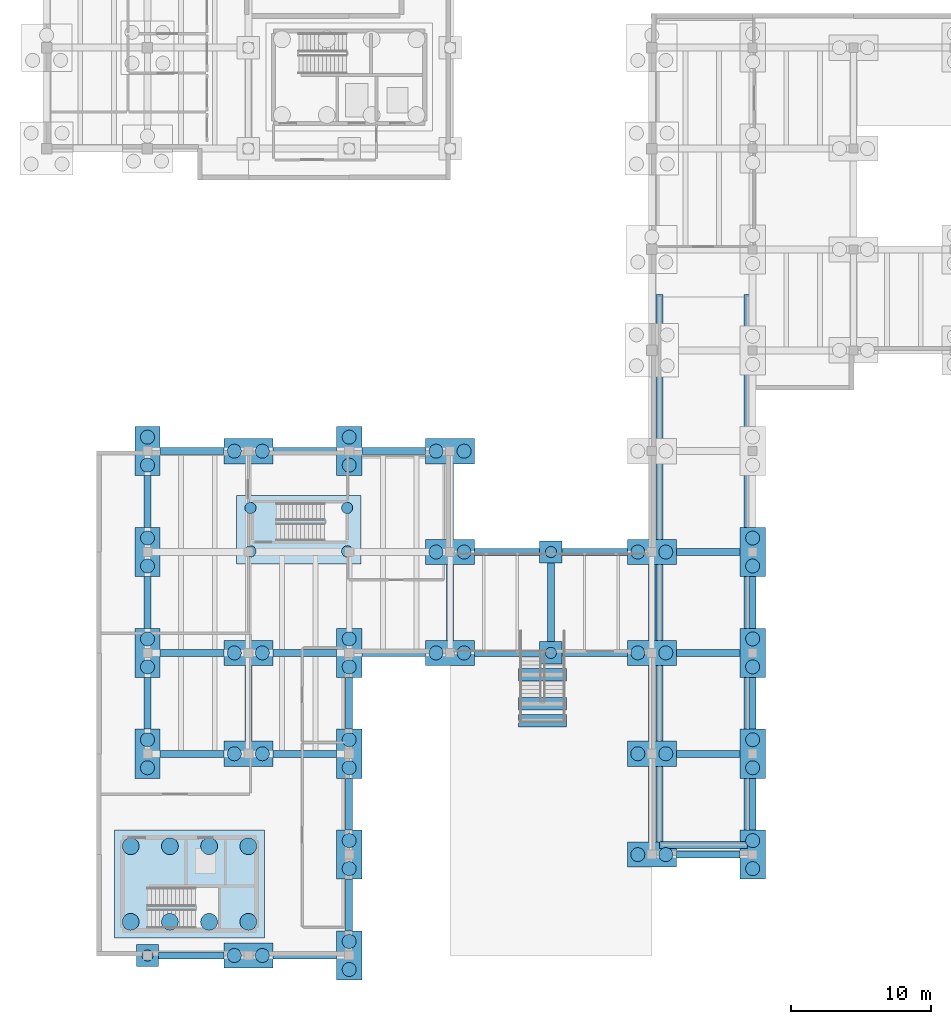
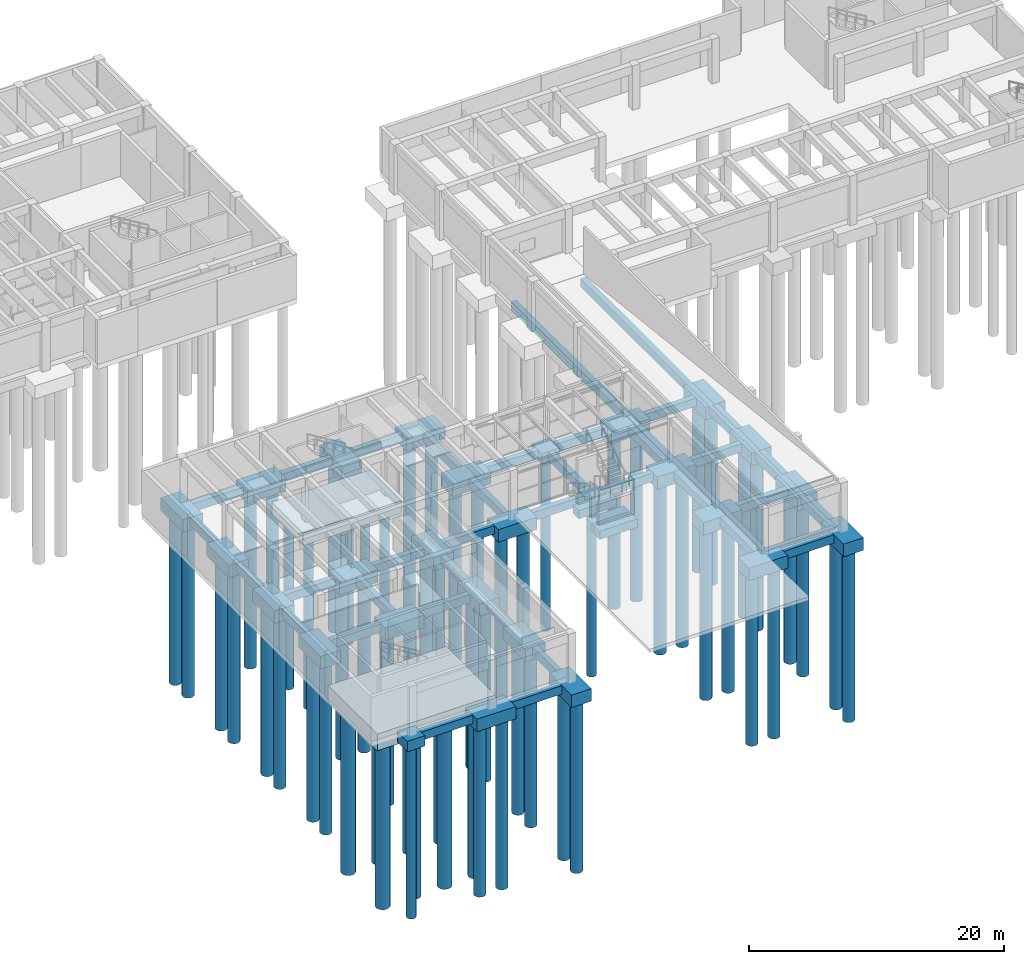
# One storey, part 1 of 28: 69 footings, 63 piles.
"""IFC4 building model written with IfcOpenShell, lengths in metres."""

from ifc_helpers import new_model, si_unit, direction, frame, origin, origin_2d, place, context, subcontext, project, spatial, rectangle, circle, extrude, material, material_profile, profile_set, type_object, element, save


model = new_model("IFC4")

# Units and contexts
model_context = context("Model", 3, precision=1e-05, world=origin(), true_north=direction((0.0, 1.0)))
body_context = subcontext(model_context, "Body", "Model", "MODEL_VIEW")
ifc_project = project(units=[si_unit("LENGTHUNIT", "METRE"), si_unit("AREAUNIT", "SQUARE_METRE"), si_unit("VOLUMEUNIT", "CUBIC_METRE"), si_unit("PLANEANGLEUNIT", "RADIAN"), si_unit("MASSUNIT", "GRAM", prefix="KILO")], contexts=[model_context])

# Site, building, storey
site_placement = place(None, origin())
site = spatial("IfcSite", under=ifc_project, at=site_placement, CompositionType="ELEMENT")
building_placement = place(site_placement, origin())
building = spatial("IfcBuilding", under=site, at=building_placement, Name="Bramvelor Terrace Health Centre", CompositionType="ELEMENT")
storey_placement = place(building_placement, frame((0.0, 0.0, -4.5)))
storey = spatial("IfcBuildingStorey", under=building, at=storey_placement, Name="B1", CompositionType="ELEMENT", Elevation=-4.5)

# Footings
ifc_material_1 = material(Name="Concrete C40/50", Category="concrete")
ifc_material_profile_1 = material_profile(ifc_material_1, rectangle(XDim=0.5, YDim=0.800048828125, at=origin_2d()), Name="RC 500x800")
ifc_profile_set_1 = profile_set([ifc_material_profile_1], Name="Concrete C40/50")
footing_type_1 = type_object("IfcFootingType", Name="FTG-FB-500x800", PredefinedType="FOOTING_BEAM", material=ifc_profile_set_1)
footing_1_placement = place(storey_placement, frame((8.0, 28.800048828125, -0.89990234375), z_axis=(1.0, 0.0, 0.0), x_axis=(0.0, 1.0, 0.0)))
element("IfcFooting", 1, at=footing_1_placement, inside=storey, type_object=footing_type_1, Name="B1 Ground Tie Beam X (7.2, 28.8)", PredefinedType="FOOTING_BEAM", context=body_context, shape_type="SweptSolid", body=[
    extrude(rectangle(XDim=0.5, YDim=0.800048828125, at=origin_2d()), origin(), (0.0, 0.0, 1.0), 4.64990234375),
])
footing_2_placement = place(storey_placement, frame((8.10009765625, 43.199951171875, -0.89990234375), z_axis=(1.0, 0.0, 0.0), x_axis=(0.0, 1.0, 0.0)))
element("IfcFooting", 2, at=footing_2_placement, inside=storey, type_object=footing_type_1, Name="B1 Ground Tie Beam X (7.2, 43.2)", PredefinedType="FOOTING_BEAM", context=body_context, shape_type="SweptSolid", body=[
    extrude(rectangle(XDim=0.5, YDim=0.800048828125, at=origin_2d()), origin(), (0.0, 0.0, 1.0), 4.5498046875),
])
footing_3_placement = place(storey_placement, frame((7.199951171875, 44.949951171875, -0.89990234375), z_axis=(0.0, 1.0, 0.0), x_axis=(-1.0, 0.0, 0.0)))
element("IfcFooting", 3, at=footing_3_placement, inside=storey, type_object=footing_type_1, Name="B1 Ground Tie Beam Y (7.2, 43.2)", PredefinedType="FOOTING_BEAM", context=body_context, shape_type="SweptSolid", body=[
    extrude(rectangle(XDim=0.5, YDim=0.800048828125, at=origin_2d()), origin(), (0.0, 0.0, 1.0), 3.699951171875),
])
footing_4_placement = place(storey_placement, frame((8.10009765625, 50.39990234375, -0.89990234375), z_axis=(1.0, 0.0, 0.0), x_axis=(0.0, 1.0, 0.0)))
element("IfcFooting", 4, at=footing_4_placement, inside=storey, type_object=footing_type_1, Name="B1 Ground Tie Beam X (7.2, 50.4)", PredefinedType="FOOTING_BEAM", context=body_context, shape_type="SweptSolid", body=[
    extrude(rectangle(XDim=0.5, YDim=0.800048828125, at=origin_2d()), origin(), (0.0, 0.0, 1.0), 4.5498046875),
])
footing_5_placement = place(storey_placement, frame((7.199951171875, 52.14990234375, -0.89990234375), z_axis=(0.0, 1.0, 0.0), x_axis=(-1.0, 0.0, 0.0)))
element("IfcFooting", 5, at=footing_5_placement, inside=storey, type_object=footing_type_1, Name="B1 Ground Tie Beam Y (7.2, 50.4)", PredefinedType="FOOTING_BEAM", context=body_context, shape_type="SweptSolid", body=[
    extrude(rectangle(XDim=0.5, YDim=0.800048828125, at=origin_2d()), origin(), (0.0, 0.0, 1.0), 3.7001953125),
])
footing_6_placement = place(storey_placement, frame((7.199951171875, 59.35009765625, -0.89990234375), z_axis=(0.0, 1.0, 0.0), x_axis=(-1.0, 0.0, 0.0)))
element("IfcFooting", 6, at=footing_6_placement, inside=storey, type_object=footing_type_1, Name="B1 Ground Tie Beam Y (7.2, 57.6)", PredefinedType="FOOTING_BEAM", context=body_context, shape_type="SweptSolid", body=[
    extrude(rectangle(XDim=0.5, YDim=0.800048828125, at=origin_2d()), origin(), (0.0, 0.0, 1.0), 3.699951171875),
])
footing_7_placement = place(storey_placement, frame((8.10009765625, 64.800048828125, -0.89990234375), z_axis=(1.0, 0.0, 0.0), x_axis=(0.0, 1.0, 0.0)))
element("IfcFooting", 7, at=footing_7_placement, inside=storey, type_object=footing_type_1, Name="B1 Ground Tie Beam X (7.2, 64.8)", PredefinedType="FOOTING_BEAM", context=body_context, shape_type="SweptSolid", body=[
    extrude(rectangle(XDim=0.5, YDim=0.800048828125, at=origin_2d()), origin(), (0.0, 0.0, 1.0), 4.5498046875),
])
for number, where, z_axis, x_axis, name in (
    (8, (16.14990234375, 28.800048828125, -0.89990234375), (1.0, 0.0, 0.0), (0.0, 1.0, 0.0), "B1 Ground Tie Beam X (14.4, 28.8)"),
    (9, (16.14990234375, 43.199951171875, -0.89990234375), (1.0, 0.0, 0.0), (0.0, 1.0, 0.0), "B1 Ground Tie Beam X (14.4, 43.2)"),
):
    element("IfcFooting", number, at=place(storey_placement, frame(where, z_axis=z_axis, x_axis=x_axis)), inside=storey, type_object=footing_type_1, Name=name, PredefinedType="FOOTING_BEAM", context=body_context, shape_type="SweptSolid", body=[
        extrude(rectangle(XDim=0.5, YDim=0.800048828125, at=origin_2d()), origin(), (0.0, 0.0, 1.0), 4.550048828125),
    ])
footing_8_placement = place(storey_placement, frame((14.39990234375, 44.10009765625, -0.89990234375), z_axis=(0.0, 1.0, 0.0), x_axis=(-1.0, 0.0, 0.0)))
element("IfcFooting", 10, at=footing_8_placement, inside=storey, type_object=footing_type_1, Name="B1 Ground Tie Beam Y (14.4, 43.2)", PredefinedType="FOOTING_BEAM", context=body_context, shape_type="SweptSolid", body=[
    extrude(rectangle(XDim=0.5, YDim=0.800048828125, at=origin_2d()), origin(), (0.0, 0.0, 1.0), 5.39990234375),
])
for number, where, z_axis, x_axis, name in (
    (11, (16.14990234375, 50.39990234375, -0.89990234375), (1.0, 0.0, 0.0), (0.0, 1.0, 0.0), "B1 Ground Tie Beam X (14.4, 50.4)"),
    (12, (16.14990234375, 64.800048828125, -0.89990234375), (1.0, 0.0, 0.0), (0.0, 1.0, 0.0), "B1 Ground Tie Beam X (14.4, 64.8)"),
):
    element("IfcFooting", number, at=place(storey_placement, frame(where, z_axis=z_axis, x_axis=x_axis)), inside=storey, type_object=footing_type_1, Name=name, PredefinedType="FOOTING_BEAM", context=body_context, shape_type="SweptSolid", body=[
        extrude(rectangle(XDim=0.5, YDim=0.800048828125, at=origin_2d()), origin(), (0.0, 0.0, 1.0), 4.550048828125),
    ])
for number, where, z_axis, x_axis, name in (
    (13, (21.60009765625, 30.550048828125, -0.89990234375), (0.0, 1.0, 0.0), (-1.0, 0.0, 0.0), "B1 Ground Tie Beam Y (21.6, 28.8)"),
    (14, (21.60009765625, 37.75, -0.89990234375), (0.0, 1.0, 0.0), (-1.0, 0.0, 0.0), "B1 Ground Tie Beam Y (21.6, 36.0)"),
    (15, (21.60009765625, 44.949951171875, -0.89990234375), (0.0, 1.0, 0.0), (-1.0, 0.0, 0.0), "B1 Ground Tie Beam Y (21.6, 43.2)"),
):
    element("IfcFooting", number, at=place(storey_placement, frame(where, z_axis=z_axis, x_axis=x_axis)), inside=storey, type_object=footing_type_1, Name=name, PredefinedType="FOOTING_BEAM", context=body_context, shape_type="SweptSolid", body=[
        extrude(rectangle(XDim=0.5, YDim=0.800048828125, at=origin_2d()), origin(), (0.0, 0.0, 1.0), 3.699951171875),
    ])
for number, where, z_axis, x_axis, name in (
    (16, (22.5, 50.39990234375, -0.89990234375), (1.0, 0.0, 0.0), (0.0, 1.0, 0.0), "B1 Ground Tie Beam X (21.6, 50.4)"),
    (17, (22.5, 64.800048828125, -0.89990234375), (1.0, 0.0, 0.0), (0.0, 1.0, 0.0), "B1 Ground Tie Beam X (21.6, 64.8)"),
):
    element("IfcFooting", number, at=place(storey_placement, frame(where, z_axis=z_axis, x_axis=x_axis)), inside=storey, type_object=footing_type_1, Name=name, PredefinedType="FOOTING_BEAM", context=body_context, shape_type="SweptSolid", body=[
        extrude(rectangle(XDim=0.5, YDim=0.800048828125, at=origin_2d()), origin(), (0.0, 0.0, 1.0), 4.550048828125),
    ])
footing_9_placement = place(storey_placement, frame((30.550048828125, 50.39990234375, -0.89990234375), z_axis=(1.0, 0.0, 0.0), x_axis=(0.0, 1.0, 0.0)))
element("IfcFooting", 18, at=footing_9_placement, inside=storey, type_object=footing_type_1, Name="B1 Ground Tie Beam X (28.8, 50.4)", PredefinedType="FOOTING_BEAM", context=body_context, shape_type="SweptSolid", body=[
    extrude(rectangle(XDim=0.5, YDim=0.800048828125, at=origin_2d()), origin(), (0.0, 0.0, 1.0), 4.64990234375),
])
footing_10_placement = place(storey_placement, frame((28.800048828125, 51.300048828125, -0.89990234375), z_axis=(0.0, 1.0, 0.0), x_axis=(-1.0, 0.0, 0.0)))
element("IfcFooting", 19, at=footing_10_placement, inside=storey, type_object=footing_type_1, Name="B1 Ground Tie Beam Y (28.8, 50.4)", PredefinedType="FOOTING_BEAM", context=body_context, shape_type="SweptSolid", body=[
    extrude(rectangle(XDim=0.5, YDim=0.800048828125, at=origin_2d()), origin(), (0.0, 0.0, 1.0), 5.39990234375),
])
footing_11_placement = place(storey_placement, frame((30.550048828125, 57.60009765625, -0.89990234375), z_axis=(1.0, 0.0, 0.0), x_axis=(0.0, 1.0, 0.0)))
element("IfcFooting", 20, at=footing_11_placement, inside=storey, type_object=footing_type_1, Name="B1 Ground Tie Beam X (28.8, 57.6)", PredefinedType="FOOTING_BEAM", context=body_context, shape_type="SweptSolid", body=[
    extrude(rectangle(XDim=0.5, YDim=0.800048828125, at=origin_2d()), origin(), (0.0, 0.0, 1.0), 4.64990234375),
])
footing_12_placement = place(storey_placement, frame((28.800048828125, 58.5, -0.89990234375), z_axis=(0.0, 1.0, 0.0), x_axis=(-1.0, 0.0, 0.0)))
element("IfcFooting", 21, at=footing_12_placement, inside=storey, type_object=footing_type_1, Name="B1 Ground Tie Beam Y (28.8, 57.6)", PredefinedType="FOOTING_BEAM", context=body_context, shape_type="SweptSolid", body=[
    extrude(rectangle(XDim=0.5, YDim=0.800048828125, at=origin_2d()), origin(), (0.0, 0.0, 1.0), 5.39990234375),
])
footing_13_placement = place(storey_placement, frame((36.800048828125, 50.39990234375, -0.89990234375), z_axis=(1.0, 0.0, 0.0), x_axis=(0.0, 1.0, 0.0)))
element("IfcFooting", 22, at=footing_13_placement, inside=storey, type_object=footing_type_1, Name="B1 Ground Tie Beam X (36.0, 50.4)", PredefinedType="FOOTING_BEAM", context=body_context, shape_type="SweptSolid", body=[
    extrude(rectangle(XDim=0.5, YDim=0.800048828125, at=origin_2d()), origin(), (0.0, 0.0, 1.0), 4.64990234375),
])
footing_14_placement = place(storey_placement, frame((36.0, 51.199951171875, -0.89990234375), z_axis=(0.0, 1.0, 0.0), x_axis=(-1.0, 0.0, 0.0)))
element("IfcFooting", 23, at=footing_14_placement, inside=storey, type_object=footing_type_1, Name="B1 Ground Tie Beam Y (36.0, 50.4)", PredefinedType="FOOTING_BEAM", context=body_context, shape_type="SweptSolid", body=[
    extrude(rectangle(XDim=0.5, YDim=0.800048828125, at=origin_2d()), origin(), (0.0, 0.0, 1.0), 5.60009765625),
])
footing_15_placement = place(storey_placement, frame((36.800048828125, 57.60009765625, -0.89990234375), z_axis=(1.0, 0.0, 0.0), x_axis=(0.0, 1.0, 0.0)))
element("IfcFooting", 24, at=footing_15_placement, inside=storey, type_object=footing_type_1, Name="B1 Ground Tie Beam X (36.0, 57.6)", PredefinedType="FOOTING_BEAM", context=body_context, shape_type="SweptSolid", body=[
    extrude(rectangle(XDim=0.5, YDim=0.800048828125, at=origin_2d()), origin(), (0.0, 0.0, 1.0), 4.64990234375),
])
footing_16_placement = place(storey_placement, frame((44.949951171875, 36.0, -0.89990234375), z_axis=(1.0, 0.0, 0.0), x_axis=(0.0, 1.0, 0.0)))
element("IfcFooting", 25, at=footing_16_placement, inside=storey, type_object=footing_type_1, Name="B1 Ground Tie Beam X (43.2, 36.0)", PredefinedType="FOOTING_BEAM", context=body_context, shape_type="SweptSolid", body=[
    extrude(rectangle(XDim=0.5, YDim=0.800048828125, at=origin_2d()), origin(), (0.0, 0.0, 1.0), 4.550048828125),
])
footing_17_placement = place(storey_placement, frame((43.199951171875, 36.89990234375, -0.89990234375), z_axis=(0.0, 1.0, 0.0), x_axis=(-1.0, 0.0, 0.0)))
element("IfcFooting", 26, at=footing_17_placement, inside=storey, type_object=footing_type_1, Name="B1 Ground Tie Beam Y (43.2, 36.0)", PredefinedType="FOOTING_BEAM", context=body_context, shape_type="SweptSolid", body=[
    extrude(rectangle(XDim=0.5, YDim=0.800048828125, at=origin_2d()), origin(), (0.0, 0.0, 1.0), 5.400146484375),
])
footing_18_placement = place(storey_placement, frame((44.949951171875, 43.199951171875, -0.89990234375), z_axis=(1.0, 0.0, 0.0), x_axis=(0.0, 1.0, 0.0)))
element("IfcFooting", 27, at=footing_18_placement, inside=storey, type_object=footing_type_1, Name="B1 Ground Tie Beam X (43.2, 43.2)", PredefinedType="FOOTING_BEAM", context=body_context, shape_type="SweptSolid", body=[
    extrude(rectangle(XDim=0.5, YDim=0.800048828125, at=origin_2d()), origin(), (0.0, 0.0, 1.0), 4.550048828125),
])
footing_19_placement = place(storey_placement, frame((43.199951171875, 44.10009765625, -0.89990234375), z_axis=(0.0, 1.0, 0.0), x_axis=(-1.0, 0.0, 0.0)))
element("IfcFooting", 28, at=footing_19_placement, inside=storey, type_object=footing_type_1, Name="B1 Ground Tie Beam Y (43.2, 43.2)", PredefinedType="FOOTING_BEAM", context=body_context, shape_type="SweptSolid", body=[
    extrude(rectangle(XDim=0.5, YDim=0.800048828125, at=origin_2d()), origin(), (0.0, 0.0, 1.0), 5.39990234375),
])
footing_20_placement = place(storey_placement, frame((44.949951171875, 50.39990234375, -0.89990234375), z_axis=(1.0, 0.0, 0.0), x_axis=(0.0, 1.0, 0.0)))
element("IfcFooting", 29, at=footing_20_placement, inside=storey, type_object=footing_type_1, Name="B1 Ground Tie Beam X (43.2, 50.4)", PredefinedType="FOOTING_BEAM", context=body_context, shape_type="SweptSolid", body=[
    extrude(rectangle(XDim=0.5, YDim=0.800048828125, at=origin_2d()), origin(), (0.0, 0.0, 1.0), 4.550048828125),
])
footing_21_placement = place(storey_placement, frame((43.199951171875, 51.300048828125, -0.89990234375), z_axis=(0.0, 1.0, 0.0), x_axis=(-1.0, 0.0, 0.0)))
element("IfcFooting", 30, at=footing_21_placement, inside=storey, type_object=footing_type_1, Name="B1 Ground Tie Beam Y (43.2, 50.4)", PredefinedType="FOOTING_BEAM", context=body_context, shape_type="SweptSolid", body=[
    extrude(rectangle(XDim=0.5, YDim=0.800048828125, at=origin_2d()), origin(), (0.0, 0.0, 1.0), 5.39990234375),
])
footing_22_placement = place(storey_placement, frame((44.949951171875, 57.60009765625, -0.89990234375), z_axis=(1.0, 0.0, 0.0), x_axis=(0.0, 1.0, 0.0)))
element("IfcFooting", 31, at=footing_22_placement, inside=storey, type_object=footing_type_1, Name="B1 Ground Tie Beam X (43.2, 57.6)", PredefinedType="FOOTING_BEAM", context=body_context, shape_type="SweptSolid", body=[
    extrude(rectangle(XDim=0.5, YDim=0.800048828125, at=origin_2d()), origin(), (0.0, 0.0, 1.0), 4.550048828125),
])
for number, where, z_axis, x_axis, name in (
    (32, (50.39990234375, 37.75, -0.89990234375), (0.0, 1.0, 0.0), (-1.0, 0.0, 0.0), "B1 Ground Tie Beam Y (50.4, 36.0)"),
    (33, (50.39990234375, 44.949951171875, -0.89990234375), (0.0, 1.0, 0.0), (-1.0, 0.0, 0.0), "B1 Ground Tie Beam Y (50.4, 43.2)"),
):
    element("IfcFooting", number, at=place(storey_placement, frame(where, z_axis=z_axis, x_axis=x_axis)), inside=storey, type_object=footing_type_1, Name=name, PredefinedType="FOOTING_BEAM", context=body_context, shape_type="SweptSolid", body=[
        extrude(rectangle(XDim=0.5, YDim=0.800048828125, at=origin_2d()), origin(), (0.0, 0.0, 1.0), 3.699951171875),
    ])
footing_23_placement = place(storey_placement, frame((50.39990234375, 52.14990234375, -0.89990234375), z_axis=(0.0, 1.0, 0.0), x_axis=(-1.0, 0.0, 0.0)))
element("IfcFooting", 34, at=footing_23_placement, inside=storey, type_object=footing_type_1, Name="B1 Ground Tie Beam Y (50.4, 50.4)", PredefinedType="FOOTING_BEAM", context=body_context, shape_type="SweptSolid", body=[
    extrude(rectangle(XDim=0.5, YDim=0.800048828125, at=origin_2d()), origin(), (0.0, 0.0, 1.0), 3.7001953125),
])
for number, where, z_axis, x_axis, name in (
    (35, (43.75, 36.60009765625, -0.89990234375), (0.0, 1.0, 0.0), (-1.0, 0.0, 0.0), "B1 Vehicle Ramp West Wall Strip Footing"),
    (36, (50.050048828125, 36.60009765625, -0.89990234375), (0.0, 1.0, 0.0), (-1.0, 0.0, 0.0), "B1 Vehicle Ramp East Wall Strip Footing"),
):
    element("IfcFooting", number, at=place(storey_placement, frame(where, z_axis=z_axis, x_axis=x_axis)), inside=storey, type_object=footing_type_1, Name=name, PredefinedType="FOOTING_BEAM", context=body_context, shape_type="SweptSolid", body=[
        extrude(rectangle(XDim=0.5, YDim=0.800048828125, at=origin_2d()), origin(), (0.0, 0.0, 1.0), 39.39990234375),
    ])
footing_24_placement = place(storey_placement, frame((43.75, 36.699951171875, -0.89990234375), z_axis=(1.0, 0.0, 0.0), x_axis=(0.0, 1.0, 0.0)))
element("IfcFooting", 37, at=footing_24_placement, inside=storey, type_object=footing_type_1, Name="B1 Vehicle Ramp Head Wall Strip Footing", PredefinedType="FOOTING_BEAM", context=body_context, shape_type="SweptSolid", body=[
    extrude(rectangle(XDim=0.5, YDim=0.800048828125, at=origin_2d()), origin(), (0.0, 0.0, 1.0), 6.300048828125),
])
ifc_material_2 = material(Name="Concrete C40/50", Category="concrete")
footing_type_2 = type_object("IfcFootingType", Name="FTG-PAD-STE1", PredefinedType="PAD_FOOTING", material=ifc_material_2)
for number, where, z_axis, x_axis, name in (
    (38, (35.39990234375, 45.570068359375, -1.1201171875), (0.0, 0.0, 1.0), (1.0, 0.0, 0.0), "Forecourt Stair FAR Pad Footing"),
    (39, (35.39990234375, 46.77001953125, -1.1201171875), (0.0, 0.0, 1.0), (1.0, 0.0, 0.0), "Forecourt Stair MID Pad Footing"),
    (40, (35.39990234375, 48.85009765625, -1.1201171875), (0.0, 0.0, 1.0), (1.0, 0.0, 0.0), "Forecourt Stair TOP Pad Footing"),
):
    element("IfcFooting", number, at=place(storey_placement, frame(where, z_axis=z_axis, x_axis=x_axis)), inside=storey, type_object=footing_type_2, Name=name, PredefinedType="PAD_FOOTING", context=body_context, shape_type="SweptSolid", body=[
        extrude(rectangle(XDim=3.39990234375, YDim=0.89990234375, at=origin_2d()), origin(), (0.0, 0.0, 1.0), 0.800048828125),
    ])
ifc_material_3 = material(Name="Concrete C40/50", Category="concrete")
footing_type_3 = type_object("IfcFootingType", Name="FTG-PC-1P-800", PredefinedType="PILE_CAP", material=ifc_material_3)
for number, where, z_axis, x_axis, name in (
    (41, (7.199951171875, 28.800048828125, -1.5), (0.0, 0.0, 1.0), (1.0, 0.0, 0.0), "B1 Pile Cap (7.2, 28.8)"),
    (42, (36.0, 50.39990234375, -1.5), (0.0, 0.0, 1.0), (1.0, 0.0, 0.0), "B1 Pile Cap (36.0, 50.4)"),
    (43, (36.0, 57.60009765625, -1.5), (0.0, 0.0, 1.0), (1.0, 0.0, 0.0), "B1 Pile Cap (36.0, 57.6)"),
):
    element("IfcFooting", number, at=place(storey_placement, frame(where, z_axis=z_axis, x_axis=x_axis)), inside=storey, type_object=footing_type_3, Name=name, PredefinedType="PILE_CAP", context=body_context, shape_type="SweptSolid", body=[
        extrude(rectangle(XDim=1.60009765625, YDim=1.60009765625, at=origin_2d()), origin(), (0.0, 0.0, 1.0), 1.0),
    ])
ifc_material_4 = material(Name="Concrete C40/50", Category="concrete")
footing_type_4 = type_object("IfcFootingType", Name="FTG-PC-2PX-1000", PredefinedType="PILE_CAP", material=ifc_material_4)
for number, where, z_axis, x_axis, name in (
    (44, (14.39990234375, 28.800048828125, -1.7001953125), (0.0, 0.0, 1.0), (1.0, 0.0, 0.0), "B1 Pile Cap (14.4, 28.8)"),
    (45, (14.39990234375, 43.199951171875, -1.7001953125), (0.0, 0.0, 1.0), (1.0, 0.0, 0.0), "B1 Pile Cap (14.4, 43.2)"),
    (46, (14.39990234375, 50.39990234375, -1.7001953125), (0.0, 0.0, 1.0), (1.0, 0.0, 0.0), "B1 Pile Cap (14.4, 50.4)"),
    (47, (14.39990234375, 64.800048828125, -1.7001953125), (0.0, 0.0, 1.0), (1.0, 0.0, 0.0), "B1 Pile Cap (14.4, 64.8)"),
    (48, (28.800048828125, 50.39990234375, -1.7001953125), (0.0, 0.0, 1.0), (1.0, 0.0, 0.0), "B1 Pile Cap (28.8, 50.4)"),
    (49, (28.800048828125, 57.60009765625, -1.7001953125), (0.0, 0.0, 1.0), (1.0, 0.0, 0.0), "B1 Pile Cap (28.8, 57.6)"),
    (50, (28.800048828125, 64.800048828125, -1.7001953125), (0.0, 0.0, 1.0), (1.0, 0.0, 0.0), "B1 Pile Cap (28.8, 64.8)"),
    (51, (43.199951171875, 36.0, -1.7001953125), (0.0, 0.0, 1.0), (1.0, 0.0, 0.0), "B1 Pile Cap (43.2, 36.0)"),
    (52, (43.199951171875, 43.199951171875, -1.7001953125), (0.0, 0.0, 1.0), (1.0, 0.0, 0.0), "B1 Pile Cap (43.2, 43.2)"),
    (53, (43.199951171875, 50.39990234375, -1.7001953125), (0.0, 0.0, 1.0), (1.0, 0.0, 0.0), "B1 Pile Cap (43.2, 50.4)"),
    (54, (43.199951171875, 57.60009765625, -1.7001953125), (0.0, 0.0, 1.0), (1.0, 0.0, 0.0), "B1 Pile Cap (43.2, 57.6)"),
):
    element("IfcFooting", number, at=place(storey_placement, frame(where, z_axis=z_axis, x_axis=x_axis)), inside=storey, type_object=footing_type_4, Name=name, PredefinedType="PILE_CAP", context=body_context, shape_type="SweptSolid", body=[
        extrude(rectangle(XDim=3.5, YDim=1.800048828125, at=origin_2d()), origin(), (0.0, 0.0, 1.0), 1.199951171875),
    ])
ifc_material_5 = material(Name="Concrete C40/50", Category="concrete")
footing_type_5 = type_object("IfcFootingType", Name="FTG-PC-2PY-1000", PredefinedType="PILE_CAP", material=ifc_material_5)
for number, where, z_axis, x_axis, name in (
    (55, (7.199951171875, 43.199951171875, -1.7001953125), (0.0, 0.0, 1.0), (1.0, 0.0, 0.0), "B1 Pile Cap (7.2, 43.2)"),
    (56, (7.199951171875, 50.39990234375, -1.7001953125), (0.0, 0.0, 1.0), (1.0, 0.0, 0.0), "B1 Pile Cap (7.2, 50.4)"),
    (57, (7.199951171875, 57.60009765625, -1.7001953125), (0.0, 0.0, 1.0), (1.0, 0.0, 0.0), "B1 Pile Cap (7.2, 57.6)"),
    (58, (7.199951171875, 64.800048828125, -1.7001953125), (0.0, 0.0, 1.0), (1.0, 0.0, 0.0), "B1 Pile Cap (7.2, 64.8)"),
    (59, (21.60009765625, 28.800048828125, -1.7001953125), (0.0, 0.0, 1.0), (1.0, 0.0, 0.0), "B1 Pile Cap (21.6, 28.8)"),
    (60, (21.60009765625, 36.0, -1.7001953125), (0.0, 0.0, 1.0), (1.0, 0.0, 0.0), "B1 Pile Cap (21.6, 36.0)"),
    (61, (21.60009765625, 43.199951171875, -1.7001953125), (0.0, 0.0, 1.0), (1.0, 0.0, 0.0), "B1 Pile Cap (21.6, 43.2)"),
    (62, (21.60009765625, 50.39990234375, -1.7001953125), (0.0, 0.0, 1.0), (1.0, 0.0, 0.0), "B1 Pile Cap (21.6, 50.4)"),
    (63, (21.60009765625, 64.800048828125, -1.7001953125), (0.0, 0.0, 1.0), (1.0, 0.0, 0.0), "B1 Pile Cap (21.6, 64.8)"),
    (64, (50.39990234375, 36.0, -1.7001953125), (0.0, 0.0, 1.0), (1.0, 0.0, 0.0), "B1 Pile Cap (50.4, 36.0)"),
    (65, (50.39990234375, 43.199951171875, -1.7001953125), (0.0, 0.0, 1.0), (1.0, 0.0, 0.0), "B1 Pile Cap (50.4, 43.2)"),
    (66, (50.39990234375, 50.39990234375, -1.7001953125), (0.0, 0.0, 1.0), (1.0, 0.0, 0.0), "B1 Pile Cap (50.4, 50.4)"),
    (67, (50.39990234375, 57.60009765625, -1.7001953125), (0.0, 0.0, 1.0), (1.0, 0.0, 0.0), "B1 Pile Cap (50.4, 57.6)"),
):
    element("IfcFooting", number, at=place(storey_placement, frame(where, z_axis=z_axis, x_axis=x_axis)), inside=storey, type_object=footing_type_5, Name=name, PredefinedType="PILE_CAP", context=body_context, shape_type="SweptSolid", body=[
        extrude(rectangle(XDim=1.800048828125, YDim=3.5, at=origin_2d()), origin(), (0.0, 0.0, 1.0), 1.199951171875),
    ])
ifc_material_6 = material(Name="Concrete C40/50", Category="concrete")
footing_type_6 = type_object("IfcFootingType", Name="FTG-PC-CORE-C3", PredefinedType="PILE_CAP", material=ifc_material_6)
footing_25_placement = place(storey_placement, frame((10.199951171875, 33.89990234375, -2.10009765625), z_axis=(0.0, 0.0, 1.0), x_axis=(1.0, 0.0, 0.0)))
element("IfcFooting", 68, at=footing_25_placement, inside=storey, type_object=footing_type_6, Name="C3 Combined Core Pile Cap", PredefinedType="PILE_CAP", context=body_context, shape_type="SweptSolid", body=[
    extrude(rectangle(XDim=10.699951171875, YDim=7.699951171875, at=origin_2d()), origin(), (0.0, 0.0, 1.0), 1.60009765625),
])
ifc_material_7 = material(Name="Concrete C40/50", Category="concrete")
footing_type_7 = type_object("IfcFootingType", Name="FTG-PC-STR-S6", PredefinedType="PILE_CAP", material=ifc_material_7)
footing_26_placement = place(storey_placement, frame((18.0, 59.199951171875, -1.7001953125), z_axis=(0.0, 0.0, 1.0), x_axis=(1.0, 0.0, 0.0)))
element("IfcFooting", 69, at=footing_26_placement, inside=storey, type_object=footing_type_7, Name="ST-6 Stair Shaft Pile Cap", PredefinedType="PILE_CAP", context=body_context, shape_type="SweptSolid", body=[
    extrude(rectangle(XDim=8.89990234375, YDim=4.89990234375, at=origin_2d()), origin(), (0.0, 0.0, 1.0), 1.199951171875),
])

# Piles
ifc_material_8 = material(Name="Concrete C40/50", Category="concrete")
ifc_material_profile_2 = material_profile(ifc_material_8, circle(Radius=0.5, at=origin_2d()), Name="BP D1000")
ifc_profile_set_2 = profile_set([ifc_material_profile_2], Name="Concrete C40/50")
pile_type_1 = type_object("IfcPileType", Name="PILE-BP-1000", PredefinedType="BORED", material=ifc_profile_set_2)
for number, where, z_axis, x_axis, name in (
    (70, (7.199951171875, 42.199951171875, -1.580078125), (0.0, 0.0, -1.0), (1.0, 0.0, 0.0), "B1 Bored Pile (7.2, 42.2)"),
    (71, (7.199951171875, 44.199951171875, -1.580078125), (0.0, 0.0, -1.0), (1.0, 0.0, 0.0), "B1 Bored Pile (7.2, 44.2)"),
    (72, (7.199951171875, 49.39990234375, -1.580078125), (0.0, 0.0, -1.0), (1.0, 0.0, 0.0), "B1 Bored Pile (7.2, 49.4)"),
    (73, (7.199951171875, 51.39990234375, -1.580078125), (0.0, 0.0, -1.0), (1.0, 0.0, 0.0), "B1 Bored Pile (7.2, 51.4)"),
    (74, (7.199951171875, 56.60009765625, -1.580078125), (0.0, 0.0, -1.0), (1.0, 0.0, 0.0), "B1 Bored Pile (7.2, 56.6)"),
    (75, (7.199951171875, 58.60009765625, -1.580078125), (0.0, 0.0, -1.0), (1.0, 0.0, 0.0), "B1 Bored Pile (7.2, 58.6)"),
    (76, (7.199951171875, 63.800048828125, -1.580078125), (0.0, 0.0, -1.0), (1.0, 0.0, 0.0), "B1 Bored Pile (7.2, 63.8)"),
    (77, (7.199951171875, 65.800048828125, -1.580078125), (0.0, 0.0, -1.0), (1.0, 0.0, 0.0), "B1 Bored Pile (7.2, 65.8)"),
    (78, (13.39990234375, 28.800048828125, -1.580078125), (0.0, 0.0, -1.0), (1.0, 0.0, 0.0), "B1 Bored Pile (13.4, 28.8)"),
    (79, (15.39990234375, 28.800048828125, -1.580078125), (0.0, 0.0, -1.0), (1.0, 0.0, 0.0), "B1 Bored Pile (15.4, 28.8)"),
    (80, (13.39990234375, 43.199951171875, -1.580078125), (0.0, 0.0, -1.0), (1.0, 0.0, 0.0), "B1 Bored Pile (13.4, 43.2)"),
    (81, (15.39990234375, 43.199951171875, -1.580078125), (0.0, 0.0, -1.0), (1.0, 0.0, 0.0), "B1 Bored Pile (15.4, 43.2)"),
    (82, (13.39990234375, 50.39990234375, -1.580078125), (0.0, 0.0, -1.0), (1.0, 0.0, 0.0), "B1 Bored Pile (13.4, 50.4)"),
    (83, (15.39990234375, 50.39990234375, -1.580078125), (0.0, 0.0, -1.0), (1.0, 0.0, 0.0), "B1 Bored Pile (15.4, 50.4)"),
    (84, (13.39990234375, 64.800048828125, -1.580078125), (0.0, 0.0, -1.0), (1.0, 0.0, 0.0), "B1 Bored Pile (13.4, 64.8)"),
    (85, (15.39990234375, 64.800048828125, -1.580078125), (0.0, 0.0, -1.0), (1.0, 0.0, 0.0), "B1 Bored Pile (15.4, 64.8)"),
    (86, (21.60009765625, 27.800048828125, -1.580078125), (0.0, 0.0, -1.0), (1.0, 0.0, 0.0), "B1 Bored Pile (21.6, 27.8)"),
    (87, (21.60009765625, 29.800048828125, -1.580078125), (0.0, 0.0, -1.0), (1.0, 0.0, 0.0), "B1 Bored Pile (21.6, 29.8)"),
    (88, (21.60009765625, 35.0, -1.580078125), (0.0, 0.0, -1.0), (1.0, 0.0, 0.0), "B1 Bored Pile (21.6, 35.0)"),
    (89, (21.60009765625, 37.0, -1.580078125), (0.0, 0.0, -1.0), (1.0, 0.0, 0.0), "B1 Bored Pile (21.6, 37.0)"),
    (90, (21.60009765625, 42.199951171875, -1.580078125), (0.0, 0.0, -1.0), (1.0, 0.0, 0.0), "B1 Bored Pile (21.6, 42.2)"),
    (91, (21.60009765625, 44.199951171875, -1.580078125), (0.0, 0.0, -1.0), (1.0, 0.0, 0.0), "B1 Bored Pile (21.6, 44.2)"),
    (92, (21.60009765625, 49.39990234375, -1.580078125), (0.0, 0.0, -1.0), (1.0, 0.0, 0.0), "B1 Bored Pile (21.6, 49.4)"),
    (93, (21.60009765625, 51.39990234375, -1.580078125), (0.0, 0.0, -1.0), (1.0, 0.0, 0.0), "B1 Bored Pile (21.6, 51.4)"),
    (94, (21.60009765625, 63.800048828125, -1.580078125), (0.0, 0.0, -1.0), (1.0, 0.0, 0.0), "B1 Bored Pile (21.6, 63.8)"),
    (95, (21.60009765625, 65.800048828125, -1.580078125), (0.0, 0.0, -1.0), (1.0, 0.0, 0.0), "B1 Bored Pile (21.6, 65.8)"),
    (96, (27.800048828125, 50.39990234375, -1.580078125), (0.0, 0.0, -1.0), (1.0, 0.0, 0.0), "B1 Bored Pile (27.8, 50.4)"),
    (97, (29.800048828125, 50.39990234375, -1.580078125), (0.0, 0.0, -1.0), (1.0, 0.0, 0.0), "B1 Bored Pile (29.8, 50.4)"),
    (98, (27.800048828125, 57.60009765625, -1.580078125), (0.0, 0.0, -1.0), (1.0, 0.0, 0.0), "B1 Bored Pile (27.8, 57.6)"),
    (99, (29.800048828125, 57.60009765625, -1.580078125), (0.0, 0.0, -1.0), (1.0, 0.0, 0.0), "B1 Bored Pile (29.8, 57.6)"),
    (100, (27.800048828125, 64.800048828125, -1.580078125), (0.0, 0.0, -1.0), (1.0, 0.0, 0.0), "B1 Bored Pile (27.8, 64.8)"),
    (101, (29.800048828125, 64.800048828125, -1.580078125), (0.0, 0.0, -1.0), (1.0, 0.0, 0.0), "B1 Bored Pile (29.8, 64.8)"),
    (102, (42.199951171875, 36.0, -1.580078125), (0.0, 0.0, -1.0), (1.0, 0.0, 0.0), "B1 Bored Pile (42.2, 36.0)"),
    (103, (44.199951171875, 36.0, -1.580078125), (0.0, 0.0, -1.0), (1.0, 0.0, 0.0), "B1 Bored Pile (44.2, 36.0)"),
    (104, (42.199951171875, 43.199951171875, -1.580078125), (0.0, 0.0, -1.0), (1.0, 0.0, 0.0), "B1 Bored Pile (42.2, 43.2)"),
    (105, (44.199951171875, 43.199951171875, -1.580078125), (0.0, 0.0, -1.0), (1.0, 0.0, 0.0), "B1 Bored Pile (44.2, 43.2)"),
    (106, (42.199951171875, 50.39990234375, -1.580078125), (0.0, 0.0, -1.0), (1.0, 0.0, 0.0), "B1 Bored Pile (42.2, 50.4)"),
    (107, (44.199951171875, 50.39990234375, -1.580078125), (0.0, 0.0, -1.0), (1.0, 0.0, 0.0), "B1 Bored Pile (44.2, 50.4)"),
    (108, (42.199951171875, 57.60009765625, -1.580078125), (0.0, 0.0, -1.0), (1.0, 0.0, 0.0), "B1 Bored Pile (42.2, 57.6)"),
    (109, (44.199951171875, 57.60009765625, -1.580078125), (0.0, 0.0, -1.0), (1.0, 0.0, 0.0), "B1 Bored Pile (44.2, 57.6)"),
    (110, (50.39990234375, 35.0, -1.580078125), (0.0, 0.0, -1.0), (1.0, 0.0, 0.0), "B1 Bored Pile (50.4, 35.0)"),
    (111, (50.39990234375, 37.0, -1.580078125), (0.0, 0.0, -1.0), (1.0, 0.0, 0.0), "B1 Bored Pile (50.4, 37.0)"),
    (112, (50.39990234375, 42.199951171875, -1.580078125), (0.0, 0.0, -1.0), (1.0, 0.0, 0.0), "B1 Bored Pile (50.4, 42.2)"),
    (113, (50.39990234375, 44.199951171875, -1.580078125), (0.0, 0.0, -1.0), (1.0, 0.0, 0.0), "B1 Bored Pile (50.4, 44.2)"),
    (114, (50.39990234375, 49.39990234375, -1.580078125), (0.0, 0.0, -1.0), (1.0, 0.0, 0.0), "B1 Bored Pile (50.4, 49.4)"),
    (115, (50.39990234375, 51.39990234375, -1.580078125), (0.0, 0.0, -1.0), (1.0, 0.0, 0.0), "B1 Bored Pile (50.4, 51.4)"),
    (116, (50.39990234375, 56.60009765625, -1.580078125), (0.0, 0.0, -1.0), (1.0, 0.0, 0.0), "B1 Bored Pile (50.4, 56.6)"),
    (117, (50.39990234375, 58.60009765625, -1.580078125), (0.0, 0.0, -1.0), (1.0, 0.0, 0.0), "B1 Bored Pile (50.4, 58.6)"),
):
    element("IfcPile", number, at=place(storey_placement, frame(where, z_axis=z_axis, x_axis=x_axis)), inside=storey, type_object=pile_type_1, Name=name, PredefinedType="BORED", context=body_context, shape_type="SweptSolid", body=[
        extrude(circle(Radius=0.5, at=origin_2d()), origin(), (0.0, 0.0, 1.0), 16.419921875),
    ])
ifc_material_9 = material(Name="Concrete C40/50", Category="concrete")
ifc_material_profile_3 = material_profile(ifc_material_9, circle(Radius=0.60009765625, at=origin_2d()), Name="BP D1200")
ifc_profile_set_3 = profile_set([ifc_material_profile_3], Name="Concrete C40/50")
pile_type_2 = type_object("IfcPileType", Name="PILE-BP-1200", PredefinedType="BORED", material=ifc_profile_set_3)
for number, where, z_axis, x_axis, name in (
    (118, (6.0, 31.199951171875, -1.97998046875), (0.0, 0.0, -1.0), (1.0, 0.0, 0.0), "C3 Bored Pile 1"),
    (119, (6.0, 36.60009765625, -1.97998046875), (0.0, 0.0, -1.0), (1.0, 0.0, 0.0), "C3 Bored Pile 2"),
    (120, (8.800048828125, 31.199951171875, -1.97998046875), (0.0, 0.0, -1.0), (1.0, 0.0, 0.0), "C3 Bored Pile 3"),
    (121, (8.800048828125, 36.60009765625, -1.97998046875), (0.0, 0.0, -1.0), (1.0, 0.0, 0.0), "C3 Bored Pile 4"),
    (122, (11.60009765625, 31.199951171875, -1.97998046875), (0.0, 0.0, -1.0), (1.0, 0.0, 0.0), "C3 Bored Pile 5"),
    (123, (11.60009765625, 36.60009765625, -1.97998046875), (0.0, 0.0, -1.0), (1.0, 0.0, 0.0), "C3 Bored Pile 6"),
    (124, (14.39990234375, 31.199951171875, -1.97998046875), (0.0, 0.0, -1.0), (1.0, 0.0, 0.0), "C3 Bored Pile 7"),
    (125, (14.39990234375, 36.60009765625, -1.97998046875), (0.0, 0.0, -1.0), (1.0, 0.0, 0.0), "C3 Bored Pile 8"),
):
    element("IfcPile", number, at=place(storey_placement, frame(where, z_axis=z_axis, x_axis=x_axis)), inside=storey, type_object=pile_type_2, Name=name, PredefinedType="BORED", context=body_context, shape_type="SweptSolid", body=[
        extrude(circle(Radius=0.60009765625, at=origin_2d()), origin(), (0.0, 0.0, 1.0), 16.02001953125),
    ])
ifc_material_10 = material(Name="Concrete C40/50", Category="concrete")
ifc_material_profile_4 = material_profile(ifc_material_10, circle(Radius=0.39990234375, at=origin_2d()), Name="BP D800")
ifc_profile_set_4 = profile_set([ifc_material_profile_4], Name="Concrete C40/50")
pile_type_3 = type_object("IfcPileType", Name="PILE-BP-800", PredefinedType="BORED", material=ifc_profile_set_4)
for number, where, z_axis, x_axis, name in (
    (126, (14.550048828125, 57.64990234375, -1.580078125), (0.0, 0.0, -1.0), (1.0, 0.0, 0.0), "ST-6 Bored Pile 1"),
    (127, (21.449951171875, 57.64990234375, -1.580078125), (0.0, 0.0, -1.0), (1.0, 0.0, 0.0), "ST-6 Bored Pile 2"),
    (128, (14.550048828125, 60.75, -1.580078125), (0.0, 0.0, -1.0), (1.0, 0.0, 0.0), "ST-6 Bored Pile 3"),
    (129, (21.449951171875, 60.75, -1.580078125), (0.0, 0.0, -1.0), (1.0, 0.0, 0.0), "ST-6 Bored Pile 4"),
):
    element("IfcPile", number, at=place(storey_placement, frame(where, z_axis=z_axis, x_axis=x_axis)), inside=storey, type_object=pile_type_3, Name=name, PredefinedType="BORED", context=body_context, shape_type="SweptSolid", body=[
        extrude(circle(Radius=0.39990234375, at=origin_2d()), origin(), (0.0, 0.0, 1.0), 16.419921875),
    ])
for number, where, z_axis, x_axis, name in (
    (130, (7.199951171875, 28.800048828125, -1.3798828125), (0.0, 0.0, -1.0), (1.0, 0.0, 0.0), "B1 Bored Pile (7.2, 28.8)"),
    (131, (36.0, 50.39990234375, -1.3798828125), (0.0, 0.0, -1.0), (1.0, 0.0, 0.0), "B1 Bored Pile (36.0, 50.4)"),
    (132, (36.0, 57.60009765625, -1.3798828125), (0.0, 0.0, -1.0), (1.0, 0.0, 0.0), "B1 Bored Pile (36.0, 57.6)"),
):
    element("IfcPile", number, at=place(storey_placement, frame(where, z_axis=z_axis, x_axis=x_axis)), inside=storey, type_object=pile_type_3, Name=name, PredefinedType="BORED", context=body_context, shape_type="SweptSolid", body=[
        extrude(circle(Radius=0.39990234375, at=origin_2d()), origin(), (0.0, 0.0, 1.0), 16.6201171875),
    ])

save(model, "model.ifc")
